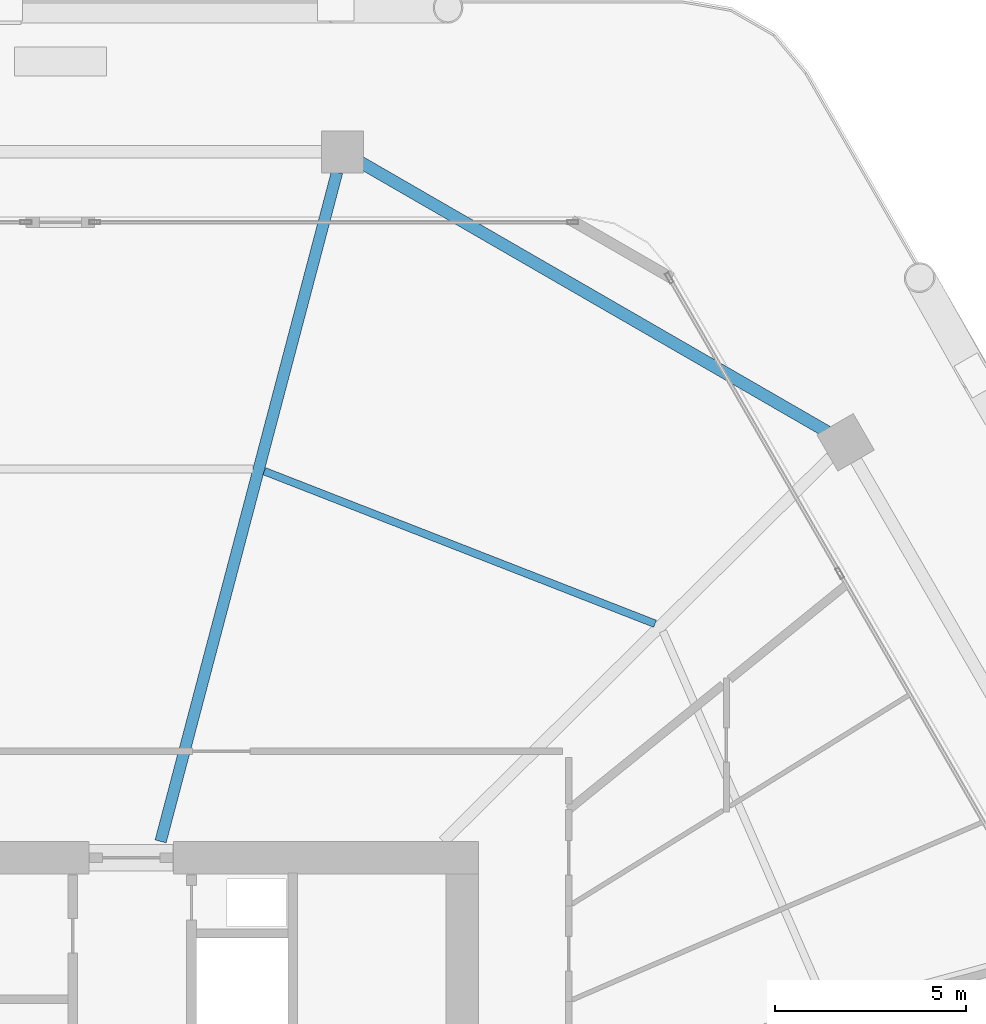
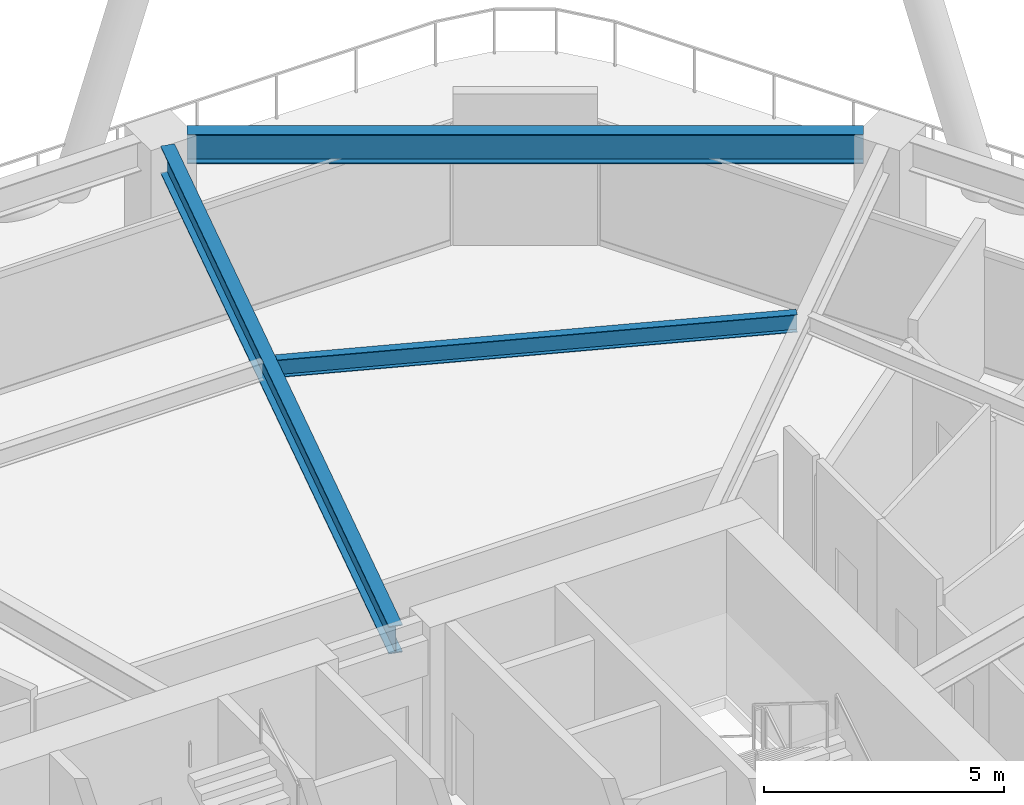
# One storey, part 19 of 28: 3 beams.
"""IFC4 building model written with IfcOpenShell, lengths in metres."""

from ifc_helpers import new_model, si_unit, direction, frame, origin, origin_2d, place, context, subcontext, project, spatial, i_section, extrude, material, material_profile, profile_set, type_object, element, save


model = new_model("IFC4")

# Units and contexts
model_context = context("Model", 3, precision=1e-05, world=origin(), true_north=direction((0.0, 1.0)))
body_context = subcontext(model_context, "Body", "Model", "MODEL_VIEW")
ifc_project = project(units=[si_unit("LENGTHUNIT", "METRE"), si_unit("AREAUNIT", "SQUARE_METRE"), si_unit("VOLUMEUNIT", "CUBIC_METRE"), si_unit("PLANEANGLEUNIT", "RADIAN"), si_unit("MASSUNIT", "GRAM", prefix="KILO")], contexts=[model_context])

# Site, building, storey
site_placement = place(None, origin())
site = spatial("IfcSite", under=ifc_project, at=site_placement, CompositionType="ELEMENT")
building_placement = place(site_placement, origin())
building = spatial("IfcBuilding", under=site, at=building_placement, Name="Zuhravey Tower", CompositionType="ELEMENT")
storey_placement = place(building_placement, frame((0.0, 0.0, 83.39990234375)))
storey = spatial("IfcBuildingStorey", under=building, at=storey_placement, Name="L20", CompositionType="ELEMENT", Elevation=83.39990234375)

# Beams
ifc_material = material(Name="Steel SM355", Category="steel")
ifc_material_profile_1 = material_profile(ifc_material, i_section(OverallWidth=0.320068359375, OverallDepth=0.75, WebThickness=0.013916015625, FlangeThickness=0.02490234375, at=origin_2d()), Name="H-750x320x14x25")
ifc_profile_set_1 = profile_set([ifc_material_profile_1], Name="Steel SM355")
beam_type_1 = type_object("IfcBeamType", Name="Perimeter Ring Beam H750x320", PredefinedType="BEAM", material=ifc_profile_set_1)
beam_1_placement = place(storey_placement, frame((56.0400390625, 52.63330078125, 3.47509765625), z_axis=(-0.866017786538, 0.500013193225, 0.0), x_axis=(-0.500013193225, -0.866017786538, 0.0)))
element("IfcBeam", 1, at=beam_1_placement, inside=storey, type_object=beam_type_1, Name="L20 PB1 BM-L20-PB-02", PredefinedType="BEAM", context=body_context, shape_type="SweptSolid", body=[
    extrude(i_section(OverallWidth=0.320068359375, OverallDepth=0.75, WebThickness=0.013916015625, FlangeThickness=0.02490234375, at=origin_2d()), origin(), (0.0, 0.0, 1.0), 14.0771484375),
])
ifc_material_profile_2 = material_profile(ifc_material, i_section(OverallWidth=0.300048828125, OverallDepth=0.699951171875, WebThickness=0.012939453125, FlangeThickness=0.02392578125, at=origin_2d()), Name="H-700x300x13x24")
ifc_profile_set_2 = profile_set([ifc_material_profile_2], Name="Steel SM355")
beam_type_2 = type_object("IfcBeamType", Name="Radial Primary Girder H700x300", PredefinedType="BEAM", material=ifc_profile_set_2)
beam_2_placement = place(storey_placement, frame((38.617919921875, 41.927978515625, 3.5), z_axis=(0.254987019627, 0.96694447608, 0.0), x_axis=(-0.96694447608, 0.254987019627, 0.0)))
element("IfcBeam", 2, at=beam_2_placement, inside=storey, type_object=beam_type_2, Name="L20 RG1 BM-L20-RAD-03", PredefinedType="BEAM", context=body_context, shape_type="SweptSolid", body=[
    extrude(i_section(OverallWidth=0.300048828125, OverallDepth=0.699951171875, WebThickness=0.012939453125, FlangeThickness=0.02392578125, at=origin_2d()), origin(), (0.0, 0.0, 1.0), 18.08349609375),
])
ifc_material_profile_3 = material_profile(ifc_material, i_section(OverallWidth=0.199951171875, OverallDepth=0.449951171875, WebThickness=0.009033203125, FlangeThickness=0.013916015625, at=origin_2d()), Name="H-450x200x9x14")
ifc_profile_set_3 = profile_set([ifc_material_profile_3], Name="Steel SM355")
beam_type_3 = type_object("IfcBeamType", Name="Secondary Floor Joist H450x200", PredefinedType="JOIST", material=ifc_profile_set_3)
beam_3_placement = place(storey_placement, frame((51.5400390625, 47.61572265625, 3.625), z_axis=(-0.931516535886, 0.363698973562, 0.0), x_axis=(-0.363698973562, -0.931516535886, 0.0)))
element("IfcBeam", 3, at=beam_3_placement, inside=storey, type_object=beam_type_3, Name="L20 SJ1 BM-L20-SJ-02-1", PredefinedType="JOIST", context=body_context, shape_type="SweptSolid", body=[
    extrude(i_section(OverallWidth=0.199951171875, OverallDepth=0.449951171875, WebThickness=0.009033203125, FlangeThickness=0.013916015625, at=origin_2d()), origin(), (0.0, 0.0, 1.0), 10.963134765625),
])

save(model, "model.ifc")
